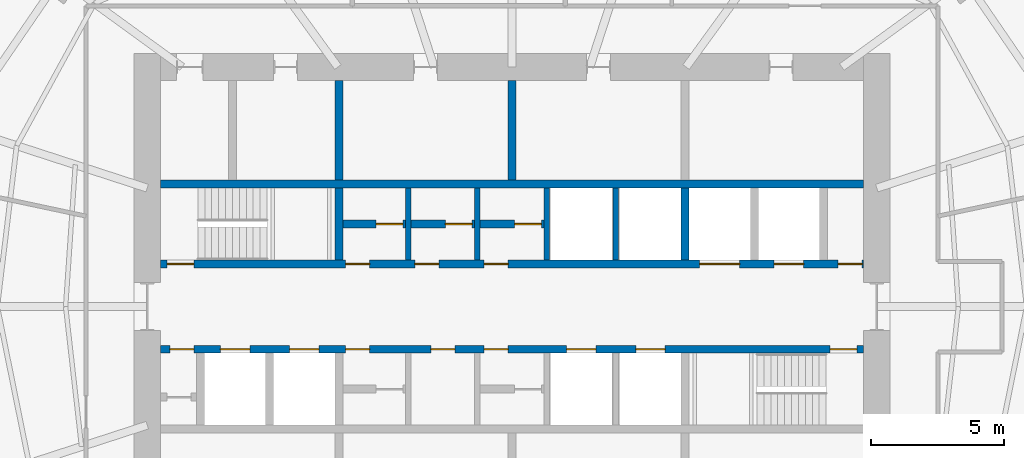
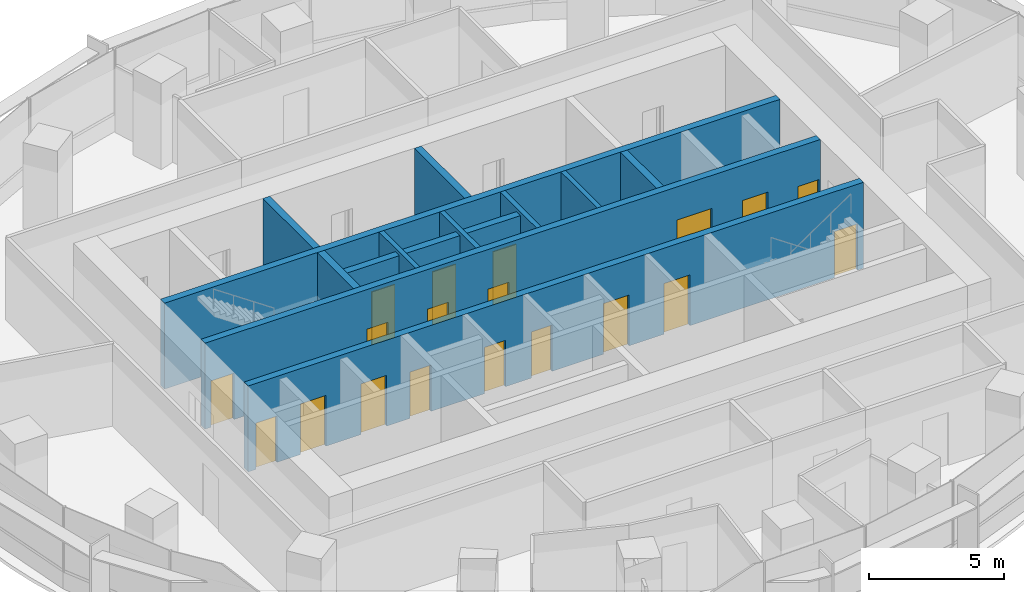
# One storey, part 11 of 15: 19 doors, 14 walls, 19 openings.
"""IFC4 building model written with IfcOpenShell, lengths in metres."""

from ifc_helpers import new_model, si_unit, direction, frame, frame_2d, origin, place, context, subcontext, project, spatial, rectangle, extrude, material, layer, layer_set, type_object, element, fill, save


model = new_model("IFC4")

# Units and contexts
model_context = context("Model", 3, precision=1e-05, world=origin(), true_north=direction((0.0, 1.0)))
body_context = subcontext(model_context, "Body", "Model", "MODEL_VIEW")
ifc_project = project(units=[si_unit("LENGTHUNIT", "METRE"), si_unit("AREAUNIT", "SQUARE_METRE"), si_unit("VOLUMEUNIT", "CUBIC_METRE"), si_unit("PLANEANGLEUNIT", "RADIAN"), si_unit("MASSUNIT", "GRAM", prefix="KILO")], contexts=[model_context])

# Site, building, storey
site_placement = place(None, origin())
site = spatial("IfcSite", under=ifc_project, at=site_placement, CompositionType="ELEMENT")
building_placement = place(site_placement, origin())
building = spatial("IfcBuilding", under=site, at=building_placement, Name="Marramba Exchange Tower", CompositionType="ELEMENT")
storey_placement = place(building_placement, frame((0.0, 0.0, 226.699951171875)))
storey = spatial("IfcBuildingStorey", under=building, at=storey_placement, Name="L55", CompositionType="ELEMENT", Elevation=226.699951171875)

# Walls
ifc_material_1 = material(Name="Concrete N50", Category="concrete")
ifc_layer_1 = layer(ifc_material_1, 0.199951171875)
ifc_layer_set_1 = layer_set([ifc_layer_1], Name="Core shaft wall 200")
wall_type_1 = type_object("IfcWallType", Name="Core shaft wall 200", PredefinedType="SHEAR", material=ifc_layer_set_1)
for number, where, z_axis, x_axis, name in (
    (1, (-3.89990234375, 1.75, 0.0), (0.0, 0.0, 1.0), (0.0, 1.0, 0.0), "Core wall SHN1 L55"),
    (2, (-1.300048828125, 1.75, 0.0), (0.0, 0.0, 1.0), (0.0, 1.0, 0.0), "Core wall SHN2 L55"),
    (3, (1.300048828125, 1.75, 0.0), (0.0, 0.0, 1.0), (0.0, 1.0, 0.0), "Core wall SHN3 L55"),
    (4, (3.89990234375, 1.75, 0.0), (0.0, 0.0, 1.0), (0.0, 1.0, 0.0), "Core wall SHN4 L55"),
):
    element("IfcWall", number, at=place(storey_placement, frame(where, z_axis=z_axis, x_axis=x_axis)), inside=storey, type_object=wall_type_1, Name=name, PredefinedType="SHEAR", context=body_context, shape_type="SweptSolid", body=[
        extrude(rectangle(XDim=2.699951171875, YDim=0.199951171875, at=frame_2d((1.35009765625, 0.0))), origin(), (0.0, 0.0, 1.0), 3.900146484375),
    ])

# Wall, openings, doors
ifc_layer_2 = layer(ifc_material_1, 0.300048828125)
ifc_layer_set_2 = layer_set([ifc_layer_2], Name="Core wall 300")
wall_type_2 = type_object("IfcWallType", Name="Core wall 300", PredefinedType="SHEAR", material=ifc_layer_set_2)
wall_1_placement = place(storey_placement, frame((-13.199951171875, 1.60009765625, 0.0), z_axis=(0.0, 0.0, 1.0), x_axis=(1.0, 0.0, 0.0)))
wall_1 = element("IfcWall", 5, at=wall_1_placement, inside=storey, type_object=wall_type_2, Name="Core wall LN L55", PredefinedType="SHEAR", context=body_context, shape_type="SweptSolid", body=[
    extrude(rectangle(XDim=26.39990234375, YDim=0.300048828125, at=frame_2d((13.199951171875, 0.0))), origin(), (0.0, 0.0, 1.0), 3.900146484375),
])
opening_1_placement = place(wall_1_placement, frame((0.25, 0.0, 0.0)))
opening_1 = element("IfcOpeningElement", 6, at=opening_1_placement, cuts=wall_1, Name="Opening D2", PredefinedType="OPENING", context=body_context, shape_type="SweptSolid", body=[
    extrude(rectangle(XDim=1.0, YDim=2.10009765625, at=frame_2d((0.5, 1.050048828125))), frame((0.0, 0.159912109375, 0.0), z_axis=(0.0, -1.0, 0.0), x_axis=(1.0, 0.0, 0.0)), (0.0, 0.0, 1.0), 0.320068359375),
])
opening_2_placement = place(wall_1_placement, frame((23.050048828125, 0.0, 0.0)))
opening_2 = element("IfcOpeningElement", 7, at=opening_2_placement, cuts=wall_1, Name="Opening LD1", PredefinedType="OPENING", context=body_context, shape_type="SweptSolid", body=[
    extrude(rectangle(XDim=1.10009765625, YDim=2.300048828125, at=frame_2d((0.550048828125, 1.14990234375))), frame((0.0, 0.159912109375, 0.0), z_axis=(0.0, -1.0, 0.0), x_axis=(1.0, 0.0, 0.0)), (0.0, 0.0, 1.0), 0.320068359375),
])
opening_3_placement = place(wall_1_placement, frame((20.25, 0.0, 0.0)))
opening_3 = element("IfcOpeningElement", 8, at=opening_3_placement, cuts=wall_1, Name="Opening LD3", PredefinedType="OPENING", context=body_context, shape_type="SweptSolid", body=[
    extrude(rectangle(XDim=1.5, YDim=2.39990234375, at=frame_2d((0.75, 1.199951171875))), frame((0.0, 0.159912109375, 0.0), z_axis=(0.0, -1.0, 0.0), x_axis=(1.0, 0.0, 0.0)), (0.0, 0.0, 1.0), 0.320068359375),
])
opening_4_placement = place(wall_1_placement, frame((6.949951171875, 0.0, 0.0)))
opening_4 = element("IfcOpeningElement", 9, at=opening_4_placement, cuts=wall_1, Name="Opening D5", PredefinedType="OPENING", context=body_context, shape_type="SweptSolid", body=[
    extrude(rectangle(XDim=0.89990234375, YDim=2.10009765625, at=frame_2d((0.449951171875, 1.050048828125))), frame((0.0, 0.159912109375, 0.0), z_axis=(0.0, -1.0, 0.0), x_axis=(1.0, 0.0, 0.0)), (0.0, 0.0, 1.0), 0.320068359375),
])
opening_5_placement = place(wall_1_placement, frame((9.550048828125, 0.0, 0.0)))
opening_5 = element("IfcOpeningElement", 10, at=opening_5_placement, cuts=wall_1, Name="Opening D5", PredefinedType="OPENING", context=body_context, shape_type="SweptSolid", body=[
    extrude(rectangle(XDim=0.89990234375, YDim=2.10009765625, at=frame_2d((0.449951171875, 1.050048828125))), frame((0.0, 0.159912109375, 0.0), z_axis=(0.0, -1.0, 0.0), x_axis=(1.0, 0.0, 0.0)), (0.0, 0.0, 1.0), 0.320068359375),
])
opening_6_placement = place(wall_1_placement, frame((12.14990234375, 0.0, 0.0)))
opening_6 = element("IfcOpeningElement", 11, at=opening_6_placement, cuts=wall_1, Name="Opening D5", PredefinedType="OPENING", context=body_context, shape_type="SweptSolid", body=[
    extrude(rectangle(XDim=0.89990234375, YDim=2.10009765625, at=frame_2d((0.449951171875, 1.050048828125))), frame((0.0, 0.159912109375, 0.0), z_axis=(0.0, -1.0, 0.0), x_axis=(1.0, 0.0, 0.0)), (0.0, 0.0, 1.0), 0.320068359375),
])
opening_7_placement = place(wall_1_placement, frame((25.449951171875, 0.0, 0.0)))
opening_7 = element("IfcOpeningElement", 12, at=opening_7_placement, cuts=wall_1, Name="Opening D5", PredefinedType="OPENING", context=body_context, shape_type="SweptSolid", body=[
    extrude(rectangle(XDim=0.89990234375, YDim=2.10009765625, at=frame_2d((0.449951171875, 1.050048828125))), frame((0.0, 0.159912109375, 0.0), z_axis=(0.0, -1.0, 0.0), x_axis=(1.0, 0.0, 0.0)), (0.0, 0.0, 1.0), 0.320068359375),
])
ifc_material_2 = material(Name="Steel-framed door", Category="steel")
door_type_1 = type_object("IfcDoorType", Name="Goods lift landing door 1500x2400", OperationType="SLIDING_TO_LEFT", PredefinedType="DOOR", material=ifc_material_2)
door_1_placement = place(opening_3_placement, origin())
door_1 = element("IfcDoor", 13, at=door_1_placement, inside=storey, type_object=door_type_1, Name="GL1 landing door L55", OperationType="SLIDING_TO_LEFT", OverallHeight=2.39990234375, OverallWidth=1.5, PredefinedType="DOOR", context=body_context, shape_type="SweptSolid", body=[
    extrude(rectangle(XDim=1.5, YDim=2.39990234375, at=frame_2d((0.75, 1.199951171875))), frame((0.0, 0.02490234375, 0.0), z_axis=(0.0, -1.0, 0.0), x_axis=(1.0, 0.0, 0.0)), (0.0, 0.0, 1.0), 0.050048828125),
])
fill(opening_3, door_1)
door_type_2 = type_object("IfcDoorType", Name="Lift landing door 1100x2300", OperationType="SLIDING_TO_LEFT", PredefinedType="DOOR", material=ifc_material_2)
door_2_placement = place(opening_2_placement, origin())
door_2 = element("IfcDoor", 14, at=door_2_placement, inside=storey, type_object=door_type_2, Name="LC3 landing door L55", OperationType="SLIDING_TO_LEFT", OverallHeight=2.300048828125, OverallWidth=1.10009765625, PredefinedType="DOOR", context=body_context, shape_type="SweptSolid", body=[
    extrude(rectangle(XDim=1.10009765625, YDim=2.300048828125, at=frame_2d((0.550048828125, 1.14990234375))), frame((0.0, 0.02490234375, 0.0), z_axis=(0.0, -1.0, 0.0), x_axis=(1.0, 0.0, 0.0)), (0.0, 0.0, 1.0), 0.050048828125),
])
fill(opening_2, door_2)
door_type_3 = type_object("IfcDoorType", Name="Service door 900x2100", OperationType="SINGLE_SWING_LEFT", PredefinedType="DOOR", material=ifc_material_2)
door_3_placement = place(opening_4_placement, origin())
door_3 = element("IfcDoor", 15, at=door_3_placement, inside=storey, type_object=door_type_3, Name="D5 switch room L55", OperationType="SINGLE_SWING_LEFT", OverallHeight=2.10009765625, OverallWidth=0.89990234375, PredefinedType="DOOR", context=body_context, shape_type="SweptSolid", body=[
    extrude(rectangle(XDim=0.89990234375, YDim=2.10009765625, at=frame_2d((0.449951171875, 1.050048828125))), frame((0.0, 0.02490234375, 0.0), z_axis=(0.0, -1.0, 0.0), x_axis=(1.0, 0.0, 0.0)), (0.0, 0.0, 1.0), 0.050048828125),
])
fill(opening_4, door_3)
door_4_placement = place(opening_5_placement, origin())
door_4 = element("IfcDoor", 16, at=door_4_placement, inside=storey, type_object=door_type_3, Name="D5 cleaner store L55", OperationType="SINGLE_SWING_LEFT", OverallHeight=2.10009765625, OverallWidth=0.89990234375, PredefinedType="DOOR", context=body_context, shape_type="SweptSolid", body=[
    extrude(rectangle(XDim=0.89990234375, YDim=2.10009765625, at=frame_2d((0.449951171875, 1.050048828125))), frame((0.0, 0.02490234375, 0.0), z_axis=(0.0, -1.0, 0.0), x_axis=(1.0, 0.0, 0.0)), (0.0, 0.0, 1.0), 0.050048828125),
])
fill(opening_5, door_4)
door_5_placement = place(opening_6_placement, origin())
door_5 = element("IfcDoor", 17, at=door_5_placement, inside=storey, type_object=door_type_3, Name="D5 general store L55", OperationType="SINGLE_SWING_LEFT", OverallHeight=2.10009765625, OverallWidth=0.89990234375, PredefinedType="DOOR", context=body_context, shape_type="SweptSolid", body=[
    extrude(rectangle(XDim=0.89990234375, YDim=2.10009765625, at=frame_2d((0.449951171875, 1.050048828125))), frame((0.0, 0.02490234375, 0.0), z_axis=(0.0, -1.0, 0.0), x_axis=(1.0, 0.0, 0.0)), (0.0, 0.0, 1.0), 0.050048828125),
])
fill(opening_6, door_5)
door_6_placement = place(opening_7_placement, origin())
door_6 = element("IfcDoor", 18, at=door_6_placement, inside=storey, type_object=door_type_3, Name="D5 riser L55", OperationType="SINGLE_SWING_RIGHT", OverallHeight=2.10009765625, OverallWidth=0.89990234375, PredefinedType="DOOR", context=body_context, shape_type="SweptSolid", body=[
    extrude(rectangle(XDim=0.89990234375, YDim=2.10009765625, at=frame_2d((0.449951171875, 1.050048828125))), frame((0.0, 0.02490234375, 0.0), z_axis=(0.0, -1.0, 0.0), x_axis=(1.0, 0.0, 0.0)), (0.0, 0.0, 1.0), 0.050048828125),
])
fill(opening_7, door_6)
door_type_4 = type_object("IfcDoorType", Name="Stair door 1000x2100", OperationType="SINGLE_SWING_LEFT", PredefinedType="DOOR", material=ifc_material_2)
door_7_placement = place(opening_1_placement, origin())
door_7 = element("IfcDoor", 19, at=door_7_placement, inside=storey, type_object=door_type_4, Name="D2 stair ST1 L55", OperationType="SINGLE_SWING_LEFT", OverallHeight=2.10009765625, OverallWidth=1.0, PredefinedType="DOOR", context=body_context, shape_type="SweptSolid", body=[
    extrude(rectangle(XDim=1.0, YDim=2.10009765625, at=frame_2d((0.5, 1.050048828125))), frame((0.0, 0.02490234375, 0.0), z_axis=(0.0, -1.0, 0.0), x_axis=(1.0, 0.0, 0.0)), (0.0, 0.0, 1.0), 0.050048828125),
])
fill(opening_1, door_7)

wall_2_placement = place(storey_placement, frame((-13.199951171875, -1.60009765625, 0.0), z_axis=(0.0, 0.0, 1.0), x_axis=(1.0, 0.0, 0.0)))
wall_2 = element("IfcWall", 20, at=wall_2_placement, inside=storey, type_object=wall_type_2, Name="Core wall LS L55", PredefinedType="SHEAR", context=body_context, shape_type="SweptSolid", body=[
    extrude(rectangle(XDim=26.39990234375, YDim=0.300048828125, at=frame_2d((13.199951171875, 0.0))), origin(), (0.0, 0.0, 1.0), 3.900146484375),
])
opening_8_placement = place(wall_2_placement, frame((25.14990234375, 0.0, 0.0)))
opening_8 = element("IfcOpeningElement", 21, at=opening_8_placement, cuts=wall_2, Name="Opening D2", PredefinedType="OPENING", context=body_context, shape_type="SweptSolid", body=[
    extrude(rectangle(XDim=1.0, YDim=2.10009765625, at=frame_2d((0.5, 1.050048828125))), frame((0.0, 0.159912109375, 0.0), z_axis=(0.0, -1.0, 0.0), x_axis=(1.0, 0.0, 0.0)), (0.0, 0.0, 1.0), 0.320068359375),
])
opening_9_placement = place(wall_2_placement, frame((6.949951171875, 0.0, 0.0)))
opening_9 = element("IfcOpeningElement", 22, at=opening_9_placement, cuts=wall_2, Name="Opening D5", PredefinedType="OPENING", context=body_context, shape_type="SweptSolid", body=[
    extrude(rectangle(XDim=0.89990234375, YDim=2.10009765625, at=frame_2d((0.449951171875, 1.050048828125))), frame((0.0, 0.159912109375, 0.0), z_axis=(0.0, -1.0, 0.0), x_axis=(1.0, 0.0, 0.0)), (0.0, 0.0, 1.0), 0.320068359375),
])
opening_10_placement = place(wall_2_placement, frame((10.14990234375, 0.0, 0.0)))
opening_10 = element("IfcOpeningElement", 23, at=opening_10_placement, cuts=wall_2, Name="Opening D5", PredefinedType="OPENING", context=body_context, shape_type="SweptSolid", body=[
    extrude(rectangle(XDim=0.89990234375, YDim=2.10009765625, at=frame_2d((0.449951171875, 1.050048828125))), frame((0.0, 0.159912109375, 0.0), z_axis=(0.0, -1.0, 0.0), x_axis=(1.0, 0.0, 0.0)), (0.0, 0.0, 1.0), 0.320068359375),
])
opening_11_placement = place(wall_2_placement, frame((12.14990234375, 0.0, 0.0)))
opening_11 = element("IfcOpeningElement", 24, at=opening_11_placement, cuts=wall_2, Name="Opening D5", PredefinedType="OPENING", context=body_context, shape_type="SweptSolid", body=[
    extrude(rectangle(XDim=0.89990234375, YDim=2.10009765625, at=frame_2d((0.449951171875, 1.050048828125))), frame((0.0, 0.159912109375, 0.0), z_axis=(0.0, -1.0, 0.0), x_axis=(1.0, 0.0, 0.0)), (0.0, 0.0, 1.0), 0.320068359375),
])
opening_12_placement = place(wall_2_placement, frame((15.25, 0.0, 0.0)))
opening_12 = element("IfcOpeningElement", 25, at=opening_12_placement, cuts=wall_2, Name="Opening LD2", PredefinedType="OPENING", context=body_context, shape_type="SweptSolid", body=[
    extrude(rectangle(XDim=1.10009765625, YDim=2.300048828125, at=frame_2d((0.550048828125, 1.14990234375))), frame((0.0, 0.159912109375, 0.0), z_axis=(0.0, -1.0, 0.0), x_axis=(1.0, 0.0, 0.0)), (0.0, 0.0, 1.0), 0.320068359375),
])
opening_13_placement = place(wall_2_placement, frame((17.85009765625, 0.0, 0.0)))
opening_13 = element("IfcOpeningElement", 26, at=opening_13_placement, cuts=wall_2, Name="Opening LD2", PredefinedType="OPENING", context=body_context, shape_type="SweptSolid", body=[
    extrude(rectangle(XDim=1.10009765625, YDim=2.300048828125, at=frame_2d((0.550048828125, 1.14990234375))), frame((0.0, 0.159912109375, 0.0), z_axis=(0.0, -1.0, 0.0), x_axis=(1.0, 0.0, 0.0)), (0.0, 0.0, 1.0), 0.320068359375),
])
opening_14_placement = place(wall_2_placement, frame((4.85009765625, 0.0, 0.0)))
opening_14 = element("IfcOpeningElement", 27, at=opening_14_placement, cuts=wall_2, Name="Opening LD1", PredefinedType="OPENING", context=body_context, shape_type="SweptSolid", body=[
    extrude(rectangle(XDim=1.10009765625, YDim=2.300048828125, at=frame_2d((0.550048828125, 1.14990234375))), frame((0.0, 0.159912109375, 0.0), z_axis=(0.0, -1.0, 0.0), x_axis=(1.0, 0.0, 0.0)), (0.0, 0.0, 1.0), 0.320068359375),
])
opening_15_placement = place(wall_2_placement, frame((2.25, 0.0, 0.0)))
opening_15 = element("IfcOpeningElement", 28, at=opening_15_placement, cuts=wall_2, Name="Opening LD1", PredefinedType="OPENING", context=body_context, shape_type="SweptSolid", body=[
    extrude(rectangle(XDim=1.10009765625, YDim=2.300048828125, at=frame_2d((0.550048828125, 1.14990234375))), frame((0.0, 0.159912109375, 0.0), z_axis=(0.0, -1.0, 0.0), x_axis=(1.0, 0.0, 0.0)), (0.0, 0.0, 1.0), 0.320068359375),
])
opening_16_placement = place(wall_2_placement, frame((0.35009765625, 0.0, 0.0)))
opening_16 = element("IfcOpeningElement", 29, at=opening_16_placement, cuts=wall_2, Name="Opening D5", PredefinedType="OPENING", context=body_context, shape_type="SweptSolid", body=[
    extrude(rectangle(XDim=0.89990234375, YDim=2.10009765625, at=frame_2d((0.449951171875, 1.050048828125))), frame((0.0, 0.159912109375, 0.0), z_axis=(0.0, -1.0, 0.0), x_axis=(1.0, 0.0, 0.0)), (0.0, 0.0, 1.0), 0.320068359375),
])
door_type_5 = type_object("IfcDoorType", Name="Emergency lift landing door 1100x2300", OperationType="SLIDING_TO_LEFT", PredefinedType="DOOR", material=ifc_material_2)
door_8_placement = place(opening_12_placement, frame((1.10009765625, 0.0, 0.0), z_axis=(0.0, 0.0, 1.0), x_axis=(-1.0, 0.0, 0.0)))
door_8 = element("IfcDoor", 30, at=door_8_placement, inside=storey, type_object=door_type_5, Name="FL1 landing door L55", OperationType="SLIDING_TO_RIGHT", OverallHeight=2.300048828125, OverallWidth=1.10009765625, PredefinedType="DOOR", context=body_context, shape_type="SweptSolid", body=[
    extrude(rectangle(XDim=1.10009765625, YDim=2.300048828125, at=frame_2d((0.550048828125, 1.14990234375))), frame((0.0, 0.025146484375, 0.0), z_axis=(0.0, -1.0, 0.0), x_axis=(1.0, 0.0, 0.0)), (0.0, 0.0, 1.0), 0.050048828125),
])
fill(opening_12, door_8)
door_9_placement = place(opening_13_placement, frame((1.10009765625, 0.0, 0.0), z_axis=(0.0, 0.0, 1.0), x_axis=(-1.0, 0.0, 0.0)))
door_9 = element("IfcDoor", 31, at=door_9_placement, inside=storey, type_object=door_type_5, Name="FL2 landing door L55", OperationType="SLIDING_TO_LEFT", OverallHeight=2.300048828125, OverallWidth=1.10009765625, PredefinedType="DOOR", context=body_context, shape_type="SweptSolid", body=[
    extrude(rectangle(XDim=1.10009765625, YDim=2.300048828125, at=frame_2d((0.550048828125, 1.14990234375))), frame((0.0, 0.025146484375, 0.0), z_axis=(0.0, -1.0, 0.0), x_axis=(1.0, 0.0, 0.0)), (0.0, 0.0, 1.0), 0.050048828125),
])
fill(opening_13, door_9)
door_10_placement = place(opening_14_placement, frame((1.10009765625, 0.0, 0.0), z_axis=(0.0, 0.0, 1.0), x_axis=(-1.0, 0.0, 0.0)))
door_10 = element("IfcDoor", 32, at=door_10_placement, inside=storey, type_object=door_type_2, Name="LC1 landing door L55", OperationType="SLIDING_TO_RIGHT", OverallHeight=2.300048828125, OverallWidth=1.10009765625, PredefinedType="DOOR", context=body_context, shape_type="SweptSolid", body=[
    extrude(rectangle(XDim=1.10009765625, YDim=2.300048828125, at=frame_2d((0.550048828125, 1.14990234375))), frame((0.0, 0.025146484375, 0.0), z_axis=(0.0, -1.0, 0.0), x_axis=(1.0, 0.0, 0.0)), (0.0, 0.0, 1.0), 0.050048828125),
])
fill(opening_14, door_10)
door_11_placement = place(opening_15_placement, frame((1.10009765625, 0.0, 0.0), z_axis=(0.0, 0.0, 1.0), x_axis=(-1.0, 0.0, 0.0)))
door_11 = element("IfcDoor", 33, at=door_11_placement, inside=storey, type_object=door_type_2, Name="LC2 landing door L55", OperationType="SLIDING_TO_LEFT", OverallHeight=2.300048828125, OverallWidth=1.10009765625, PredefinedType="DOOR", context=body_context, shape_type="SweptSolid", body=[
    extrude(rectangle(XDim=1.10009765625, YDim=2.300048828125, at=frame_2d((0.550048828125, 1.14990234375))), frame((0.0, 0.025146484375, 0.0), z_axis=(0.0, -1.0, 0.0), x_axis=(1.0, 0.0, 0.0)), (0.0, 0.0, 1.0), 0.050048828125),
])
fill(opening_15, door_11)
door_12_placement = place(opening_9_placement, frame((0.89990234375, 0.0, 0.0), z_axis=(0.0, 0.0, 1.0), x_axis=(-1.0, 0.0, 0.0)))
door_12 = element("IfcDoor", 34, at=door_12_placement, inside=storey, type_object=door_type_3, Name="D5 vending room n1 L55", OperationType="SINGLE_SWING_RIGHT", OverallHeight=2.10009765625, OverallWidth=0.89990234375, PredefinedType="DOOR", context=body_context, shape_type="SweptSolid", body=[
    extrude(rectangle(XDim=0.89990234375, YDim=2.10009765625, at=frame_2d((0.449951171875, 1.050048828125))), frame((0.0, 0.025146484375, 0.0), z_axis=(0.0, -1.0, 0.0), x_axis=(1.0, 0.0, 0.0)), (0.0, 0.0, 1.0), 0.050048828125),
])
fill(opening_9, door_12)
door_13_placement = place(opening_10_placement, frame((0.89990234375, 0.0, 0.0), z_axis=(0.0, 0.0, 1.0), x_axis=(-1.0, 0.0, 0.0)))
door_13 = element("IfcDoor", 35, at=door_13_placement, inside=storey, type_object=door_type_3, Name="D5 store room n1 L55", OperationType="SINGLE_SWING_RIGHT", OverallHeight=2.10009765625, OverallWidth=0.89990234375, PredefinedType="DOOR", context=body_context, shape_type="SweptSolid", body=[
    extrude(rectangle(XDim=0.89990234375, YDim=2.10009765625, at=frame_2d((0.449951171875, 1.050048828125))), frame((0.0, 0.025146484375, 0.0), z_axis=(0.0, -1.0, 0.0), x_axis=(1.0, 0.0, 0.0)), (0.0, 0.0, 1.0), 0.050048828125),
])
fill(opening_10, door_13)
door_14_placement = place(opening_11_placement, frame((0.89990234375, 0.0, 0.0), z_axis=(0.0, 0.0, 1.0), x_axis=(-1.0, 0.0, 0.0)))
door_14 = element("IfcDoor", 36, at=door_14_placement, inside=storey, type_object=door_type_3, Name="D5 it equipment room n2 L55", OperationType="SINGLE_SWING_RIGHT", OverallHeight=2.10009765625, OverallWidth=0.89990234375, PredefinedType="DOOR", context=body_context, shape_type="SweptSolid", body=[
    extrude(rectangle(XDim=0.89990234375, YDim=2.10009765625, at=frame_2d((0.449951171875, 1.050048828125))), frame((0.0, 0.025146484375, 0.0), z_axis=(0.0, -1.0, 0.0), x_axis=(1.0, 0.0, 0.0)), (0.0, 0.0, 1.0), 0.050048828125),
])
fill(opening_11, door_14)
door_15_placement = place(opening_16_placement, frame((0.89990234375, 0.0, 0.0), z_axis=(0.0, 0.0, 1.0), x_axis=(-1.0, 0.0, 0.0)))
door_15 = element("IfcDoor", 37, at=door_15_placement, inside=storey, type_object=door_type_3, Name="D5 electrical riser L55", OperationType="SINGLE_SWING_LEFT", OverallHeight=2.10009765625, OverallWidth=0.89990234375, PredefinedType="DOOR", context=body_context, shape_type="SweptSolid", body=[
    extrude(rectangle(XDim=0.89990234375, YDim=2.10009765625, at=frame_2d((0.449951171875, 1.050048828125))), frame((0.0, 0.025146484375, 0.0), z_axis=(0.0, -1.0, 0.0), x_axis=(1.0, 0.0, 0.0)), (0.0, 0.0, 1.0), 0.050048828125),
])
fill(opening_16, door_15)
door_16_placement = place(opening_8_placement, frame((1.0, 0.0, 0.0), z_axis=(0.0, 0.0, 1.0), x_axis=(-1.0, 0.0, 0.0)))
door_16 = element("IfcDoor", 38, at=door_16_placement, inside=storey, type_object=door_type_4, Name="D2 stair ST2 L55", OperationType="SINGLE_SWING_LEFT", OverallHeight=2.10009765625, OverallWidth=1.0, PredefinedType="DOOR", context=body_context, shape_type="SweptSolid", body=[
    extrude(rectangle(XDim=1.0, YDim=2.10009765625, at=frame_2d((0.5, 1.050048828125))), frame((0.0, 0.025146484375, 0.0), z_axis=(0.0, -1.0, 0.0), x_axis=(1.0, 0.0, 0.0)), (0.0, 0.0, 1.0), 0.050048828125),
])
fill(opening_8, door_16)

# Walls
wall_3_placement = place(storey_placement, frame((-13.199951171875, 4.60009765625, 0.0), z_axis=(0.0, 0.0, 1.0), x_axis=(1.0, 0.0, 0.0)))
element("IfcWall", 39, at=wall_3_placement, inside=storey, type_object=wall_type_2, Name="Core wall BN L55", PredefinedType="SHEAR", context=body_context, shape_type="SweptSolid", body=[
    extrude(rectangle(XDim=26.39990234375, YDim=0.300048828125, at=frame_2d((13.199951171875, 0.0))), origin(), (0.0, 0.0, 1.0), 3.900146484375),
])
wall_4_placement = place(storey_placement, frame((-6.5, 1.75, 0.0), z_axis=(0.0, 0.0, 1.0), x_axis=(0.0, 1.0, 0.0)))
element("IfcWall", 40, at=wall_4_placement, inside=storey, type_object=wall_type_2, Name="Core wall X0Na L55", PredefinedType="SHEAR", context=body_context, shape_type="SweptSolid", body=[
    extrude(rectangle(XDim=2.699951171875, YDim=0.300048828125, at=frame_2d((1.35009765625, 0.0))), origin(), (0.0, 0.0, 1.0), 3.900146484375),
])
wall_5_placement = place(storey_placement, frame((-6.5, 4.75, 0.0), z_axis=(0.0, 0.0, 1.0), x_axis=(0.0, 1.0, 0.0)))
element("IfcWall", 41, at=wall_5_placement, inside=storey, type_object=wall_type_2, Name="Core wall X0Nb L55", PredefinedType="SHEAR", context=body_context, shape_type="SweptSolid", body=[
    extrude(rectangle(XDim=3.75, YDim=0.300048828125, at=frame_2d((1.875, 0.0))), origin(), (0.0, 0.0, 1.0), 3.900146484375),
])
wall_6_placement = place(storey_placement, frame((6.5, 1.75, 0.0), z_axis=(0.0, 0.0, 1.0), x_axis=(0.0, 1.0, 0.0)))
element("IfcWall", 42, at=wall_6_placement, inside=storey, type_object=wall_type_2, Name="Core wall X1Na L55", PredefinedType="SHEAR", context=body_context, shape_type="SweptSolid", body=[
    extrude(rectangle(XDim=2.699951171875, YDim=0.300048828125, at=frame_2d((1.35009765625, 0.0))), origin(), (0.0, 0.0, 1.0), 3.900146484375),
])
wall_7_placement = place(storey_placement, frame((0.0, 4.75, 0.0), z_axis=(0.0, 0.0, 1.0), x_axis=(0.0, 1.0, 0.0)))
element("IfcWall", 43, at=wall_7_placement, inside=storey, type_object=wall_type_2, Name="Core wall MN L55", PredefinedType="SHEAR", context=body_context, shape_type="SweptSolid", body=[
    extrude(rectangle(XDim=3.75, YDim=0.300048828125, at=frame_2d((1.875, 0.0))), origin(), (0.0, 0.0, 1.0), 3.900146484375),
])

# Wall, opening, door
ifc_material_3 = material(Name="Plasterboard on steel studs, insulated, unrated", Category="steel")
ifc_layer_3 = layer(ifc_material_3, 0.300048828125)
ifc_layer_set_3 = layer_set([ifc_layer_3], Name="Store partition 300")
wall_type_3 = type_object("IfcWallType", Name="Store partition 300", PredefinedType="PARTITIONING", material=ifc_layer_set_3)
wall_8_placement = place(storey_placement, frame((-6.35009765625, 3.10009765625, 0.0), z_axis=(0.0, 0.0, 1.0), x_axis=(1.0, 0.0, 0.0)))
wall_8 = element("IfcWall", 44, at=wall_8_placement, inside=storey, type_object=wall_type_3, Name="Store partition L55 N1", PredefinedType="PARTITIONING", context=body_context, shape_type="SweptSolid", body=[
    extrude(rectangle(XDim=2.35009765625, YDim=0.300048828125, at=frame_2d((1.175048828125, 0.0))), origin(), (0.0, 0.0, 1.0), 3.739990234375),
])
opening_17_placement = place(wall_8_placement, frame((1.25, 0.0, 0.0)))
opening_17 = element("IfcOpeningElement", 45, at=opening_17_placement, cuts=wall_8, Name="Opening D9", PredefinedType="OPENING", context=body_context, shape_type="SweptSolid", body=[
    extrude(rectangle(XDim=1.0, YDim=2.39990234375, at=frame_2d((0.5, 1.199951171875))), frame((0.0, 0.159912109375, 0.0), z_axis=(0.0, -1.0, 0.0), x_axis=(1.0, 0.0, 0.0)), (0.0, 0.0, 1.0), 0.320068359375),
])
ifc_material_4 = material(Name="Timber door", Category="wood")
door_type_6 = type_object("IfcDoorType", Name="Room door 1000x2400", OperationType="SINGLE_SWING_LEFT", PredefinedType="DOOR", material=ifc_material_4)
door_17_placement = place(opening_17_placement, origin())
door_17 = element("IfcDoor", 46, at=door_17_placement, inside=storey, type_object=door_type_6, Name="D9 store room N1 L55", OperationType="SINGLE_SWING_RIGHT", OverallHeight=2.39990234375, OverallWidth=1.0, PredefinedType="DOOR", context=body_context, shape_type="SweptSolid", body=[
    extrude(rectangle(XDim=1.0, YDim=2.39990234375, at=frame_2d((0.5, 1.199951171875))), frame((0.0, 0.02490234375, 0.0), z_axis=(0.0, -1.0, 0.0), x_axis=(1.0, 0.0, 0.0)), (0.0, 0.0, 1.0), 0.050048828125),
])
fill(opening_17, door_17)

wall_9_placement = place(storey_placement, frame((-3.800048828125, 3.10009765625, 0.0), z_axis=(0.0, 0.0, 1.0), x_axis=(1.0, 0.0, 0.0)))
wall_9 = element("IfcWall", 47, at=wall_9_placement, inside=storey, type_object=wall_type_3, Name="Store partition L55 N2", PredefinedType="PARTITIONING", context=body_context, shape_type="SweptSolid", body=[
    extrude(rectangle(XDim=2.400146484375, YDim=0.300048828125, at=frame_2d((1.2001953125, 0.0))), origin(), (0.0, 0.0, 1.0), 3.739990234375),
])
opening_18_placement = place(wall_9_placement, frame((1.300048828125, 0.0, 0.0)))
opening_18 = element("IfcOpeningElement", 48, at=opening_18_placement, cuts=wall_9, Name="Opening D9", PredefinedType="OPENING", context=body_context, shape_type="SweptSolid", body=[
    extrude(rectangle(XDim=1.0, YDim=2.39990234375, at=frame_2d((0.5, 1.199951171875))), frame((0.0, 0.159912109375, 0.0), z_axis=(0.0, -1.0, 0.0), x_axis=(1.0, 0.0, 0.0)), (0.0, 0.0, 1.0), 0.320068359375),
])
door_18_placement = place(opening_18_placement, origin())
door_18 = element("IfcDoor", 49, at=door_18_placement, inside=storey, type_object=door_type_6, Name="D9 store room N2 L55", OperationType="SINGLE_SWING_RIGHT", OverallHeight=2.39990234375, OverallWidth=1.0, PredefinedType="DOOR", context=body_context, shape_type="SweptSolid", body=[
    extrude(rectangle(XDim=1.0, YDim=2.39990234375, at=frame_2d((0.5, 1.199951171875))), frame((0.0, 0.02490234375, 0.0), z_axis=(0.0, -1.0, 0.0), x_axis=(1.0, 0.0, 0.0)), (0.0, 0.0, 1.0), 0.050048828125),
])
fill(opening_18, door_18)

wall_10_placement = place(storey_placement, frame((-1.199951171875, 3.10009765625, 0.0), z_axis=(0.0, 0.0, 1.0), x_axis=(1.0, 0.0, 0.0)))
wall_10 = element("IfcWall", 50, at=wall_10_placement, inside=storey, type_object=wall_type_3, Name="Store partition L55 N3", PredefinedType="PARTITIONING", context=body_context, shape_type="SweptSolid", body=[
    extrude(rectangle(XDim=2.39990234375, YDim=0.300048828125, at=frame_2d((1.199951171875, 0.0))), origin(), (0.0, 0.0, 1.0), 3.739990234375),
])
opening_19_placement = place(wall_10_placement, frame((1.300048828125, 0.0, 0.0)))
opening_19 = element("IfcOpeningElement", 51, at=opening_19_placement, cuts=wall_10, Name="Opening D9", PredefinedType="OPENING", context=body_context, shape_type="SweptSolid", body=[
    extrude(rectangle(XDim=1.0, YDim=2.39990234375, at=frame_2d((0.5, 1.199951171875))), frame((0.0, 0.159912109375, 0.0), z_axis=(0.0, -1.0, 0.0), x_axis=(1.0, 0.0, 0.0)), (0.0, 0.0, 1.0), 0.320068359375),
])
door_19_placement = place(opening_19_placement, origin())
door_19 = element("IfcDoor", 52, at=door_19_placement, inside=storey, type_object=door_type_6, Name="D9 store room N3 L55", OperationType="SINGLE_SWING_RIGHT", OverallHeight=2.39990234375, OverallWidth=1.0, PredefinedType="DOOR", context=body_context, shape_type="SweptSolid", body=[
    extrude(rectangle(XDim=1.0, YDim=2.39990234375, at=frame_2d((0.5, 1.199951171875))), frame((0.0, 0.02490234375, 0.0), z_axis=(0.0, -1.0, 0.0), x_axis=(1.0, 0.0, 0.0)), (0.0, 0.0, 1.0), 0.050048828125),
])
fill(opening_19, door_19)

save(model, "model.ifc")
